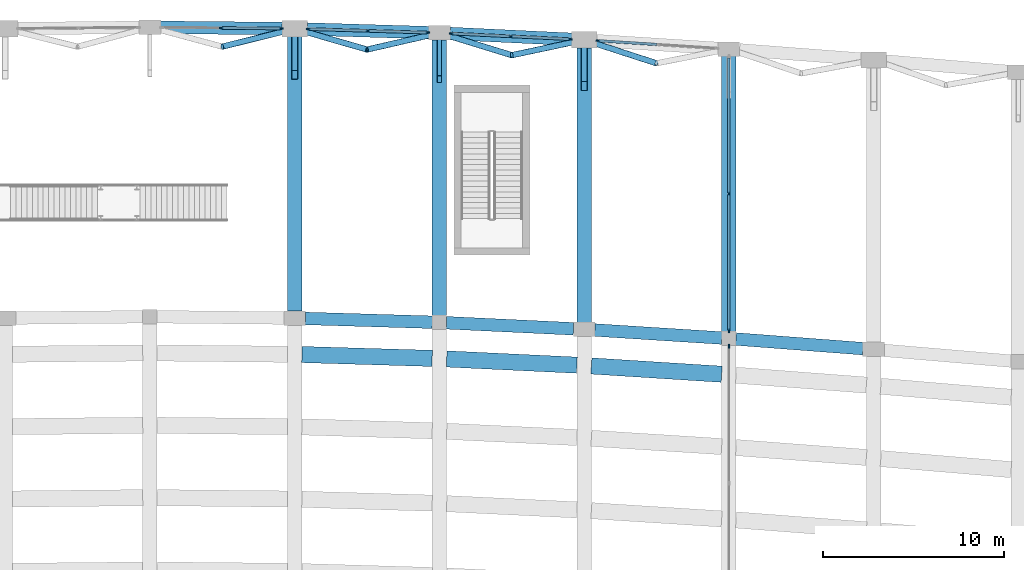
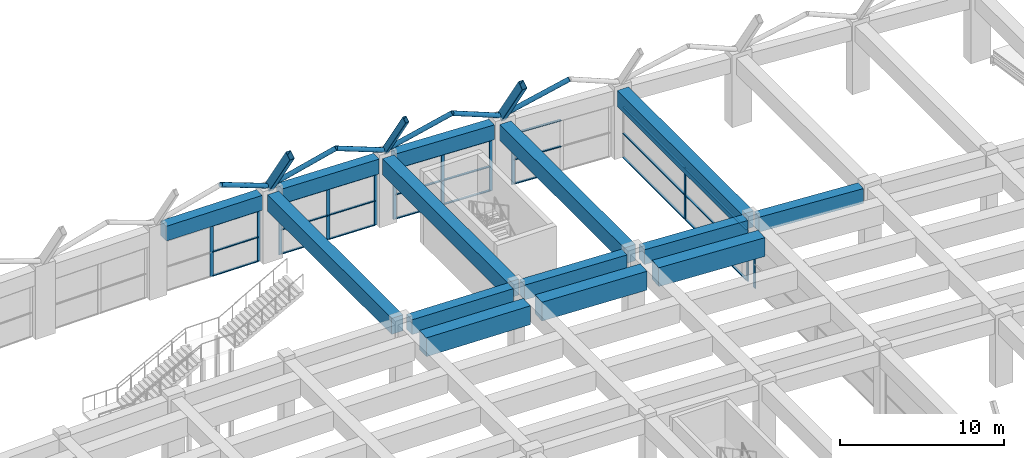
# One storey, part 31 of 69: 42 members, 17 beams, 6 elements without a shape of their own.
"""IFC4 building model written with IfcOpenShell, lengths in metres."""

from ifc_helpers import new_model, si_unit, direction, frame, origin, origin_2d, place, context, subcontext, project, spatial, rectangle, hollow_rectangle, hollow_circle, extrude, material, material_profile, profile_set, type_object, element, aggregate, save


model = new_model("IFC4")

# Units and contexts
model_context = context("Model", 3, precision=1e-05, world=origin(), true_north=direction((0.0, 1.0)))
body_context = subcontext(model_context, "Body", "Model", "MODEL_VIEW")
ifc_project = project(units=[si_unit("LENGTHUNIT", "METRE"), si_unit("AREAUNIT", "SQUARE_METRE"), si_unit("VOLUMEUNIT", "CUBIC_METRE"), si_unit("PLANEANGLEUNIT", "RADIAN"), si_unit("MASSUNIT", "GRAM", prefix="KILO")], contexts=[model_context])

# Site, building, storey
site_placement = place(None, origin())
site = spatial("IfcSite", under=ifc_project, at=site_placement, CompositionType="ELEMENT")
building_placement = place(site_placement, origin())
building = spatial("IfcBuilding", under=site, at=building_placement, Name="Kenh Van Central Station", CompositionType="ELEMENT")
storey_placement = place(building_placement, frame((0.0, 0.0, 5.39990234375)))
storey = spatial("IfcBuildingStorey", under=building, at=storey_placement, Name="L01", CompositionType="ELEMENT", Elevation=5.39990234375)

# Beams
ifc_material_1 = material(Name="Concrete C40/50", Category="concrete")
ifc_material_profile_1 = material_profile(ifc_material_1, rectangle(XDim=0.699951171875, YDim=1.10009765625, at=origin_2d()), Name="RC 700x1100")
ifc_profile_set_1 = profile_set([ifc_material_profile_1], Name="Concrete C40/50")
beam_type_1 = type_object("IfcBeamType", Name="BM-RC-700x1100", PredefinedType="BEAM", material=ifc_profile_set_1)
beam_1_placement = place(storey_placement, frame((96.58984375, 99.102294921875, 4.530029296875), z_axis=(0.999562359797, -0.029581901172, 0.0), x_axis=(0.029581901172, 0.999562359797, 0.0)))
element("IfcBeam", 1, at=beam_1_placement, inside=storey, type_object=beam_type_1, Name="L01 viaduct girder 1416", PredefinedType="BEAM", context=body_context, shape_type="SweptSolid", body=[
    extrude(rectangle(XDim=0.699951171875, YDim=1.10009765625, at=origin_2d()), origin(), (0.0, 0.0, 1.0), 7.0234375),
])
beam_2_placement = place(storey_placement, frame((104.3896484375, 98.864501953125, 4.530029296875), z_axis=(0.998867194536, -0.04758495224, 0.0), x_axis=(0.04758495224, 0.998867194536, 0.0)))
element("IfcBeam", 2, at=beam_2_placement, inside=storey, type_object=beam_type_1, Name="L01 viaduct girder 1417", PredefinedType="BEAM", context=body_context, shape_type="SweptSolid", body=[
    extrude(rectangle(XDim=0.699951171875, YDim=1.10009765625, at=origin_2d()), origin(), (0.0, 0.0, 1.0), 7.029052734375),
])
beam_3_placement = place(storey_placement, frame((112.5888671875, 98.464599609375, 4.530029296875), z_axis=(0.997999567519, -0.063220750018, 0.0), x_axis=(0.063220750018, 0.997999567519, 0.0)))
element("IfcBeam", 3, at=beam_3_placement, inside=storey, type_object=beam_type_1, Name="L01 viaduct girder 1418", PredefinedType="BEAM", context=body_context, shape_type="SweptSolid", body=[
    extrude(rectangle(XDim=0.699951171875, YDim=1.10009765625, at=origin_2d()), origin(), (0.0, 0.0, 1.0), 7.0361328125),
])
beam_4_placement = place(storey_placement, frame((120.388916015625, 97.9658203125, 4.530029296875), z_axis=(0.997135285012, -0.075638769056, 0.0), x_axis=(0.075638769056, 0.997135285012, 0.0)))
element("IfcBeam", 4, at=beam_4_placement, inside=storey, type_object=beam_type_1, Name="L01 viaduct girder 1419", PredefinedType="BEAM", context=body_context, shape_type="SweptSolid", body=[
    extrude(rectangle(XDim=0.699951171875, YDim=1.10009765625, at=origin_2d()), origin(), (0.0, 0.0, 1.0), 7.04296875),
])
beam_5_placement = place(storey_placement, frame((88.590087890625, 115.194091796875, 4.530029296875), z_axis=(0.99994973094, -0.010026743896, 0.0), x_axis=(0.010026743896, 0.99994973094, 0.0)))
element("IfcBeam", 5, at=beam_5_placement, inside=storey, type_object=beam_type_1, Name="L01 viaduct girder 1429", PredefinedType="BEAM", context=body_context, shape_type="SweptSolid", body=[
    extrude(rectangle(XDim=0.699951171875, YDim=1.10009765625, at=origin_2d()), origin(), (0.0, 0.0, 1.0), 6.72021484375),
])
beam_6_placement = place(storey_placement, frame((96.689697265625, 115.099365234375, 4.530029296875), z_axis=(0.999563065499, -0.029558046112, 0.0), x_axis=(0.029558046112, 0.999563065499, 0.0)))
element("IfcBeam", 6, at=beam_6_placement, inside=storey, type_object=beam_type_1, Name="L01 viaduct girder 1430", PredefinedType="BEAM", context=body_context, shape_type="SweptSolid", body=[
    extrude(rectangle(XDim=0.699951171875, YDim=1.10009765625, at=origin_2d()), origin(), (0.0, 0.0, 1.0), 6.723388671875),
])
beam_7_placement = place(storey_placement, frame((104.58935546875, 114.85498046875, 4.530029296875), z_axis=(0.998866413286, -0.047601348815, 0.0), x_axis=(0.047601348815, 0.998866413286, 0.0)))
element("IfcBeam", 7, at=beam_7_placement, inside=storey, type_object=beam_type_1, Name="L01 viaduct girder 1431", PredefinedType="BEAM", context=body_context, shape_type="SweptSolid", body=[
    extrude(rectangle(XDim=0.699951171875, YDim=1.10009765625, at=origin_2d()), origin(), (0.0, 0.0, 1.0), 6.72900390625),
])
ifc_material_profile_2 = material_profile(ifc_material_1, rectangle(XDim=0.800048828125, YDim=1.199951171875, at=origin_2d()), Name="RC 800x1200")
ifc_profile_set_2 = profile_set([ifc_material_profile_2], Name="Concrete C40/50")
beam_type_2 = type_object("IfcBeamType", Name="BM-TRK-800x1200", PredefinedType="BEAM", material=ifc_profile_set_2)
beam_8_placement = place(storey_placement, frame((96.0, 99.509765625, 4.47998046875), z_axis=(0.0, 1.0, 0.0), x_axis=(-1.0, 0.0, 0.0)))
element("IfcBeam", 8, at=beam_8_placement, inside=storey, type_object=beam_type_2, Name="L01 viaduct cross-girder 1456", PredefinedType="BEAM", context=body_context, shape_type="SweptSolid", body=[
    extrude(rectangle(XDim=0.800048828125, YDim=1.199951171875, at=origin_2d()), origin(), (0.0, 0.0, 1.0), 15.169921875),
])
beam_9_placement = place(storey_placement, frame((104.0, 99.273193359375, 4.47998046875), z_axis=(0.0, 1.0, 0.0), x_axis=(-1.0, 0.0, 0.0)))
element("IfcBeam", 9, at=beam_9_placement, inside=storey, type_object=beam_type_2, Name="L01 viaduct cross-girder 1459", PredefinedType="BEAM", context=body_context, shape_type="SweptSolid", body=[
    extrude(rectangle(XDim=0.800048828125, YDim=1.199951171875, at=origin_2d()), origin(), (0.0, 0.0, 1.0), 15.219970703125),
])
beam_10_placement = place(storey_placement, frame((112.0, 98.891845703125, 4.47998046875), z_axis=(0.0, 1.0, 0.0), x_axis=(-1.0, 0.0, 0.0)))
element("IfcBeam", 10, at=beam_10_placement, inside=storey, type_object=beam_type_2, Name="L01 viaduct cross-girder 1462", PredefinedType="BEAM", context=body_context, shape_type="SweptSolid", body=[
    extrude(rectangle(XDim=0.800048828125, YDim=1.199951171875, at=origin_2d()), origin(), (0.0, 0.0, 1.0), 15.170166015625),
])
beam_11_placement = place(storey_placement, frame((120.0, 98.38525390625, 4.47998046875), z_axis=(0.0, 1.0, 0.0), x_axis=(-1.0, 0.0, 0.0)))
element("IfcBeam", 11, at=beam_11_placement, inside=storey, type_object=beam_type_2, Name="L01 viaduct cross-girder 1465", PredefinedType="BEAM", context=body_context, shape_type="SweptSolid", body=[
    extrude(rectangle(XDim=0.800048828125, YDim=1.199951171875, at=origin_2d()), origin(), (0.0, 0.0, 1.0), 15.219970703125),
])
ifc_material_profile_3 = material_profile(ifc_material_1, rectangle(XDim=0.89990234375, YDim=1.39990234375, at=origin_2d()), Name="RC 900x1400")
ifc_profile_set_3 = profile_set([ifc_material_profile_3], Name="Concrete C40/50")
beam_type_3 = type_object("IfcBeamType", Name="BM-TRK-900x1400", PredefinedType="BEAM", material=ifc_profile_set_3)
beam_12_placement = place(storey_placement, frame((96.39990234375, 97.10791015625, 4.380126953125), z_axis=(0.999563172588, -0.029554424471, 0.0), x_axis=(0.029554424471, 0.999563172588, 0.0)))
element("IfcBeam", 12, at=beam_12_placement, inside=storey, type_object=beam_type_3, Name="Track 4 trough girder 1525", PredefinedType="BEAM", context=body_context, shape_type="SweptSolid", body=[
    extrude(rectangle(XDim=0.89990234375, YDim=1.39990234375, at=origin_2d()), origin(), (0.0, 0.0, 1.0), 7.203369140625),
])
beam_13_placement = place(storey_placement, frame((104.399658203125, 96.864013671875, 4.380126953125), z_axis=(0.998867294729, -0.047582849023, 0.0), x_axis=(0.047582849023, 0.998867294729, 0.0)))
element("IfcBeam", 13, at=beam_13_placement, inside=storey, type_object=beam_type_3, Name="Track 4 trough girder 1526", PredefinedType="BEAM", context=body_context, shape_type="SweptSolid", body=[
    extrude(rectangle(XDim=0.89990234375, YDim=1.39990234375, at=origin_2d()), origin(), (0.0, 0.0, 1.0), 7.208740234375),
])
beam_14_placement = place(storey_placement, frame((112.399169921875, 96.4765625, 4.380126953125), z_axis=(0.998000898768, -0.06319973147, 0.0), x_axis=(0.06319973147, 0.998000898768, 0.0)))
element("IfcBeam", 14, at=beam_14_placement, inside=storey, type_object=beam_type_3, Name="Track 4 trough girder 1527", PredefinedType="BEAM", context=body_context, shape_type="SweptSolid", body=[
    extrude(rectangle(XDim=0.89990234375, YDim=1.39990234375, at=origin_2d()), origin(), (0.0, 0.0, 1.0), 7.216064453125),
])
ifc_material_2 = material(Name="White fluoropolymer structural steel S355", Category="steel")
ifc_material_profile_4 = material_profile(ifc_material_2, hollow_rectangle(XDim=0.35009765625, YDim=0.60009765625, WallThickness=0.01611328125, InnerFilletRadius=0.01611328125, OuterFilletRadius=0.031982421875, at=origin_2d()), Name="RHS 600x350x16")
ifc_profile_set_4 = profile_set([ifc_material_profile_4], Name="White fluoropolymer structural steel S355")
beam_type_4 = type_object("IfcBeamType", Name="BM-VAULT-ARCH600", PredefinedType="BEAM", material=ifc_profile_set_4)
for number, where, z_axis, x_axis, name in (
    (15, (96.0, 112.5673828125, 9.161865234375), (0.0, 0.549413802018, -0.835550401922), (-1.0, 0.0, 0.0), "Vault transverse arch 105"),
    (16, (112.0, 111.949462890625, 9.161865234375), (0.0, 0.549413802018, -0.835550401922), (-1.0, 0.0, 0.0), "Vault transverse arch 129"),
):
    element("IfcBeam", number, at=place(storey_placement, frame(where, z_axis=z_axis, x_axis=x_axis)), inside=storey, type_object=beam_type_4, Name=name, PredefinedType="BEAM", context=body_context, shape_type="SweptSolid", body=[
        extrude(hollow_rectangle(XDim=0.35009765625, YDim=0.60009765625, WallThickness=0.01611328125, InnerFilletRadius=0.01611328125, OuterFilletRadius=0.031982421875, at=origin_2d()), origin(), (0.0, 0.0, 1.0), 4.645751953125),
    ])
ifc_material_profile_5 = material_profile(ifc_material_2, hollow_rectangle(XDim=0.25, YDim=0.449951171875, WallThickness=0.012451171875, InnerFilletRadius=0.012451171875, OuterFilletRadius=0.02490234375, at=origin_2d()), Name="RHS 450x250x12.5")
ifc_profile_set_5 = profile_set([ifc_material_profile_5], Name="White fluoropolymer structural steel S355")
beam_type_5 = type_object("IfcBeamType", Name="BM-VAULT-SUB450", PredefinedType="BEAM", material=ifc_profile_set_5)
beam_15_placement = place(storey_placement, frame((104.0, 112.330810546875, 9.161865234375), z_axis=(0.0, 0.5493771127, -0.835574525725), x_axis=(-1.0, 0.0, 0.0)))
element("IfcBeam", 17, at=beam_15_placement, inside=storey, type_object=beam_type_5, Name="Vault transverse arch 117", PredefinedType="BEAM", context=body_context, shape_type="SweptSolid", body=[
    extrude(hollow_rectangle(XDim=0.25, YDim=0.449951171875, WallThickness=0.012451171875, InnerFilletRadius=0.012451171875, OuterFilletRadius=0.02490234375, at=origin_2d()), origin(), (0.0, 0.0, 1.0), 4.645751953125),
])

# Curtain wall, member
ifc_material_3 = material(Name="Champagne anodised aluminium", Category="aluminium")
curtain_wall_type = type_object("IfcCurtainWallType", Name="CW-HALL-B", PredefinedType="NOTDEFINED", material=ifc_material_3)
curtain_wall_1_placement = place(storey_placement, origin())
curtain_wall_1 = element("IfcCurtainWall", 18, at=curtain_wall_1_placement, inside=storey, type_object=curtain_wall_type, Name="L01 curtain wall 101", PredefinedType="NOTDEFINED")
ifc_material_profile_6 = material_profile(ifc_material_3, rectangle(XDim=0.08203125, YDim=0.22509765625, at=origin_2d()), Name="AL 82x225")
ifc_profile_set_6 = profile_set([ifc_material_profile_6], Name="Champagne anodised aluminium")
member_type_1 = type_object("IfcMemberType", Name="CWM-70x180", PredefinedType="MULLION", material=ifc_profile_set_6)
member_1_placement = place(storey_placement, frame((120.0, 97.55419921875, 0.0), z_axis=(0.0, 0.0, 1.0), x_axis=(-1.0, 0.0, 0.0)))
member_1 = element("IfcMember", 19, at=member_1_placement, type_object=member_type_1, Name="CW-02 mullion 3", PredefinedType="MULLION", context=body_context, shape_type="SweptSolid", body=[
    extrude(rectangle(XDim=0.08203125, YDim=0.22509765625, at=origin_2d()), origin(), (0.0, 0.0, 1.0), 3.800048828125),
])
aggregate(curtain_wall_1, [member_1])

# Curtain wall, members
curtain_wall_2_placement = place(storey_placement, origin())
curtain_wall_2 = element("IfcCurtainWall", 20, at=curtain_wall_2_placement, inside=storey, type_object=curtain_wall_type, Name="L01 curtain wall 102", PredefinedType="NOTDEFINED")
member_2_placement = place(storey_placement, frame((120.0, 98.436279296875, 0.0), z_axis=(0.0, 0.0, 1.0), x_axis=(-1.0, 0.0, 0.0)))
member_2 = element("IfcMember", 21, at=member_2_placement, type_object=member_type_1, Name="CW-02 mullion 1", PredefinedType="MULLION", context=body_context, shape_type="SweptSolid", body=[
    extrude(rectangle(XDim=0.08203125, YDim=0.22509765625, at=origin_2d()), origin(), (0.0, 0.0, 1.0), 3.800048828125),
])
member_3_placement = place(storey_placement, frame((120.0, 105.9951171875, 0.0), z_axis=(0.0, 0.0, 1.0), x_axis=(-1.0, 0.0, 0.0)))
member_3 = element("IfcMember", 22, at=member_3_placement, type_object=member_type_1, Name="CW-02 mullion 2", PredefinedType="MULLION", context=body_context, shape_type="SweptSolid", body=[
    extrude(rectangle(XDim=0.08203125, YDim=0.22509765625, at=origin_2d()), origin(), (0.0, 0.0, 1.0), 3.800048828125),
])

curtain_wall_3_placement = place(storey_placement, origin())
curtain_wall_3 = element("IfcCurtainWall", 23, at=curtain_wall_3_placement, inside=storey, type_object=curtain_wall_type, Name="L01 curtain wall 090", PredefinedType="NOTDEFINED")
ifc_material_profile_7 = material_profile(ifc_material_3, rectangle(XDim=0.080078125, YDim=0.219970703125, at=origin_2d()), Name="AL 80x220")
ifc_profile_set_7 = profile_set([ifc_material_profile_7], Name="Champagne anodised aluminium")
member_type_2 = type_object("IfcMemberType", Name="CWM-80x220", PredefinedType="MULLION", material=ifc_profile_set_7)
member_4_placement = place(storey_placement, frame((95.255615234375, 115.127197265625, 0.0), z_axis=(0.0, 0.0, 1.0), x_axis=(-0.010011901592, -0.999949879657, 0.0)))
member_4 = element("IfcMember", 24, at=member_4_placement, type_object=member_type_2, Name="CW-02 mullion 1", PredefinedType="MULLION", context=body_context, shape_type="SweptSolid", body=[
    extrude(rectangle(XDim=0.080078125, YDim=0.219970703125, at=origin_2d()), origin(), (0.0, 0.0, 1.0), 3.800048828125),
])
member_5_placement = place(storey_placement, frame((91.94970703125, 115.160400390625, 0.0), z_axis=(0.0, 0.0, 1.0), x_axis=(-0.010011901592, -0.999949879657, 0.0)))
member_5 = element("IfcMember", 25, at=member_5_placement, type_object=member_type_2, Name="CW-02 mullion 2", PredefinedType="MULLION", context=body_context, shape_type="SweptSolid", body=[
    extrude(rectangle(XDim=0.080078125, YDim=0.219970703125, at=origin_2d()), origin(), (0.0, 0.0, 1.0), 3.800048828125),
])

curtain_wall_4_placement = place(storey_placement, origin())
curtain_wall_4 = element("IfcCurtainWall", 26, at=curtain_wall_4_placement, inside=storey, type_object=curtain_wall_type, Name="L01 curtain wall 092", PredefinedType="NOTDEFINED")
member_6_placement = place(storey_placement, frame((103.3486328125, 114.90234375, 0.0), z_axis=(0.0, 0.0, 1.0), x_axis=(-0.029570645876, -0.999562692832, 0.0)))
member_6 = element("IfcMember", 27, at=member_6_placement, type_object=member_type_2, Name="CW-02 mullion 1", PredefinedType="MULLION", context=body_context, shape_type="SweptSolid", body=[
    extrude(rectangle(XDim=0.080078125, YDim=0.219970703125, at=origin_2d()), origin(), (0.0, 0.0, 1.0), 3.800048828125),
])
member_7_placement = place(storey_placement, frame((100.05078125, 115.0, 0.0), z_axis=(0.0, 0.0, 1.0), x_axis=(-0.029570645876, -0.999562692832, 0.0)))
member_7 = element("IfcMember", 28, at=member_7_placement, type_object=member_type_2, Name="CW-02 mullion 2", PredefinedType="MULLION", context=body_context, shape_type="SweptSolid", body=[
    extrude(rectangle(XDim=0.080078125, YDim=0.219970703125, at=origin_2d()), origin(), (0.0, 0.0, 1.0), 3.800048828125),
])
member_8_placement = place(storey_placement, frame((96.752685546875, 115.097412109375, 0.0), z_axis=(0.0, 0.0, 1.0), x_axis=(-0.029570645876, -0.999562692832, 0.0)))
member_8 = element("IfcMember", 29, at=member_8_placement, type_object=member_type_2, Name="CW-02 mullion 3", PredefinedType="MULLION", context=body_context, shape_type="SweptSolid", body=[
    extrude(rectangle(XDim=0.080078125, YDim=0.219970703125, at=origin_2d()), origin(), (0.0, 0.0, 1.0), 3.800048828125),
])

curtain_wall_5_placement = place(storey_placement, origin())
curtain_wall_5 = element("IfcCurtainWall", 30, at=curtain_wall_5_placement, inside=storey, type_object=curtain_wall_type, Name="L01 curtain wall 094", PredefinedType="NOTDEFINED")
member_9_placement = place(storey_placement, frame((111.240234375, 114.5380859375, 0.0), z_axis=(0.0, 0.0, 1.0), x_axis=(-0.047600764745, -0.99886644112, 0.0)))
member_9 = element("IfcMember", 31, at=member_9_placement, type_object=member_type_2, Name="CW-02 mullion 1", PredefinedType="MULLION", context=body_context, shape_type="SweptSolid", body=[
    extrude(rectangle(XDim=0.080078125, YDim=0.219970703125, at=origin_2d()), origin(), (0.0, 0.0, 1.0), 3.800048828125),
])
member_10_placement = place(storey_placement, frame((107.948974609375, 114.695068359375, 0.0), z_axis=(0.0, 0.0, 1.0), x_axis=(-0.047600764745, -0.99886644112, 0.0)))
member_10 = element("IfcMember", 32, at=member_10_placement, type_object=member_type_2, Name="CW-02 mullion 2", PredefinedType="MULLION", context=body_context, shape_type="SweptSolid", body=[
    extrude(rectangle(XDim=0.080078125, YDim=0.219970703125, at=origin_2d()), origin(), (0.0, 0.0, 1.0), 3.800048828125),
])
member_11_placement = place(storey_placement, frame((104.65771484375, 114.851806640625, 0.0), z_axis=(0.0, 0.0, 1.0), x_axis=(-0.047600764745, -0.99886644112, 0.0)))
member_11 = element("IfcMember", 33, at=member_11_placement, type_object=member_type_2, Name="CW-02 mullion 3", PredefinedType="MULLION", context=body_context, shape_type="SweptSolid", body=[
    extrude(rectangle(XDim=0.080078125, YDim=0.219970703125, at=origin_2d()), origin(), (0.0, 0.0, 1.0), 3.800048828125),
])

# Curtain wall, member
curtain_wall_6_placement = place(storey_placement, origin())
curtain_wall_6 = element("IfcCurtainWall", 34, at=curtain_wall_6_placement, inside=storey, type_object=curtain_wall_type, Name="L01 curtain wall 096", PredefinedType="NOTDEFINED")
member_12_placement = place(storey_placement, frame((112.765625, 114.453369140625, 0.0), z_axis=(0.0, 0.0, 1.0), x_axis=(-0.063211477724, -0.998000154852, 0.0)))
member_12 = element("IfcMember", 35, at=member_12_placement, type_object=member_type_2, Name="CW-02 mullion 3", PredefinedType="MULLION", context=body_context, shape_type="SweptSolid", body=[
    extrude(rectangle(XDim=0.080078125, YDim=0.219970703125, at=origin_2d()), origin(), (0.0, 0.0, 1.0), 3.800048828125),
])

# Member
ifc_material_profile_8 = material_profile(ifc_material_3, rectangle(XDim=0.14990234375, YDim=0.070068359375, at=origin_2d()), Name="AL 150x70")
ifc_profile_set_8 = profile_set([ifc_material_profile_8], Name="Champagne anodised aluminium")
member_type_3 = type_object("IfcMemberType", Name="CWT-150x70", PredefinedType="USERDEFINED", material=ifc_profile_set_8)
member_13_placement = place(storey_placement, frame((95.215576171875, 115.127685546875, 0.03515625), z_axis=(-0.999950102075, 0.009989662717, 0.0), x_axis=(-0.009989662717, -0.999950102075, 0.0)))
member_13 = element("IfcMember", 36, at=member_13_placement, type_object=member_type_3, Name="CW-02 transom 1.1", ObjectType="TRANSOM", PredefinedType="USERDEFINED", context=body_context, shape_type="SweptSolid", body=[
    extrude(rectangle(XDim=0.14990234375, YDim=0.070068359375, at=origin_2d()), origin(), (0.0, 0.0, 1.0), 3.22607421875),
])

member_14_placement = place(storey_placement, frame((95.215576171875, 115.127685546875, 1.82421875), z_axis=(-0.999950102075, 0.009989662717, 0.0), x_axis=(-0.009989662717, -0.999950102075, 0.0)))
member_14 = element("IfcMember", 37, at=member_14_placement, type_object=member_type_3, Name="CW-02 transom 1.2", ObjectType="TRANSOM", PredefinedType="USERDEFINED", context=body_context, shape_type="SweptSolid", body=[
    extrude(rectangle(XDim=0.14990234375, YDim=0.070068359375, at=origin_2d()), origin(), (0.0, 0.0, 1.0), 3.22607421875),
])

member_15_placement = place(storey_placement, frame((95.215576171875, 115.127685546875, 3.76513671875), z_axis=(-0.999950102075, 0.009989662717, 0.0), x_axis=(-0.009989662717, -0.999950102075, 0.0)))
member_15 = element("IfcMember", 38, at=member_15_placement, type_object=member_type_3, Name="CW-02 transom 1.3", ObjectType="TRANSOM", PredefinedType="USERDEFINED", context=body_context, shape_type="SweptSolid", body=[
    extrude(rectangle(XDim=0.14990234375, YDim=0.070068359375, at=origin_2d()), origin(), (0.0, 0.0, 1.0), 3.22607421875),
])

aggregate(curtain_wall_3, [member_4, member_5, member_13, member_14, member_15])

member_16_placement = place(storey_placement, frame((103.308837890625, 114.903564453125, 0.03515625), z_axis=(-0.999562627364, 0.029572858798, 0.0), x_axis=(-0.029572858798, -0.999562627364, 0.0)))
member_16 = element("IfcMember", 39, at=member_16_placement, type_object=member_type_3, Name="CW-02 transom 1.1", ObjectType="TRANSOM", PredefinedType="USERDEFINED", context=body_context, shape_type="SweptSolid", body=[
    extrude(rectangle(XDim=0.14990234375, YDim=0.070068359375, at=origin_2d()), origin(), (0.0, 0.0, 1.0), 3.2197265625),
])

member_17_placement = place(storey_placement, frame((103.308837890625, 114.903564453125, 1.82421875), z_axis=(-0.999562627364, 0.029572858798, 0.0), x_axis=(-0.029572858798, -0.999562627364, 0.0)))
member_17 = element("IfcMember", 40, at=member_17_placement, type_object=member_type_3, Name="CW-02 transom 1.2", ObjectType="TRANSOM", PredefinedType="USERDEFINED", context=body_context, shape_type="SweptSolid", body=[
    extrude(rectangle(XDim=0.14990234375, YDim=0.070068359375, at=origin_2d()), origin(), (0.0, 0.0, 1.0), 3.2197265625),
])

member_18_placement = place(storey_placement, frame((103.308837890625, 114.903564453125, 3.76513671875), z_axis=(-0.999562627364, 0.029572858798, 0.0), x_axis=(-0.029572858798, -0.999562627364, 0.0)))
member_18 = element("IfcMember", 41, at=member_18_placement, type_object=member_type_3, Name="CW-02 transom 1.3", ObjectType="TRANSOM", PredefinedType="USERDEFINED", context=body_context, shape_type="SweptSolid", body=[
    extrude(rectangle(XDim=0.14990234375, YDim=0.070068359375, at=origin_2d()), origin(), (0.0, 0.0, 1.0), 3.2197265625),
])

member_19_placement = place(storey_placement, frame((100.0107421875, 115.001220703125, 0.03515625), z_axis=(-0.999562561041, 0.029575100433, 0.0), x_axis=(-0.029575100433, -0.999562561041, 0.0)))
member_19 = element("IfcMember", 42, at=member_19_placement, type_object=member_type_3, Name="CW-02 transom 2.1", ObjectType="TRANSOM", PredefinedType="USERDEFINED", context=body_context, shape_type="SweptSolid", body=[
    extrude(rectangle(XDim=0.14990234375, YDim=0.070068359375, at=origin_2d()), origin(), (0.0, 0.0, 1.0), 3.219482421875),
])

member_20_placement = place(storey_placement, frame((100.0107421875, 115.001220703125, 1.82421875), z_axis=(-0.999562561041, 0.029575100433, 0.0), x_axis=(-0.029575100433, -0.999562561041, 0.0)))
member_20 = element("IfcMember", 43, at=member_20_placement, type_object=member_type_3, Name="CW-02 transom 2.2", ObjectType="TRANSOM", PredefinedType="USERDEFINED", context=body_context, shape_type="SweptSolid", body=[
    extrude(rectangle(XDim=0.14990234375, YDim=0.070068359375, at=origin_2d()), origin(), (0.0, 0.0, 1.0), 3.219482421875),
])

member_21_placement = place(storey_placement, frame((100.0107421875, 115.001220703125, 3.76513671875), z_axis=(-0.999562561041, 0.029575100433, 0.0), x_axis=(-0.029575100433, -0.999562561041, 0.0)))
member_21 = element("IfcMember", 44, at=member_21_placement, type_object=member_type_3, Name="CW-02 transom 2.3", ObjectType="TRANSOM", PredefinedType="USERDEFINED", context=body_context, shape_type="SweptSolid", body=[
    extrude(rectangle(XDim=0.14990234375, YDim=0.070068359375, at=origin_2d()), origin(), (0.0, 0.0, 1.0), 3.219482421875),
])

aggregate(curtain_wall_4, [member_6, member_7, member_8, member_16, member_17, member_18, member_19, member_20, member_21])

member_22_placement = place(storey_placement, frame((111.2001953125, 114.5400390625, 0.03515625), z_axis=(-0.998865731043, 0.047615662842, 0.0), x_axis=(-0.047615662842, -0.998865731043, 0.0)))
member_22 = element("IfcMember", 45, at=member_22_placement, type_object=member_type_3, Name="CW-02 transom 1.1", ObjectType="TRANSOM", PredefinedType="USERDEFINED", context=body_context, shape_type="SweptSolid", body=[
    extrude(rectangle(XDim=0.14990234375, YDim=0.070068359375, at=origin_2d()), origin(), (0.0, 0.0, 1.0), 3.21484375),
])

member_23_placement = place(storey_placement, frame((111.2001953125, 114.5400390625, 1.82421875), z_axis=(-0.998865731043, 0.047615662842, 0.0), x_axis=(-0.047615662842, -0.998865731043, 0.0)))
member_23 = element("IfcMember", 46, at=member_23_placement, type_object=member_type_3, Name="CW-02 transom 1.2", ObjectType="TRANSOM", PredefinedType="USERDEFINED", context=body_context, shape_type="SweptSolid", body=[
    extrude(rectangle(XDim=0.14990234375, YDim=0.070068359375, at=origin_2d()), origin(), (0.0, 0.0, 1.0), 3.21484375),
])

member_24_placement = place(storey_placement, frame((111.2001953125, 114.5400390625, 3.76513671875), z_axis=(-0.998865731043, 0.047615662842, 0.0), x_axis=(-0.047615662842, -0.998865731043, 0.0)))
member_24 = element("IfcMember", 47, at=member_24_placement, type_object=member_type_3, Name="CW-02 transom 1.3", ObjectType="TRANSOM", PredefinedType="USERDEFINED", context=body_context, shape_type="SweptSolid", body=[
    extrude(rectangle(XDim=0.14990234375, YDim=0.070068359375, at=origin_2d()), origin(), (0.0, 0.0, 1.0), 3.21484375),
])

member_25_placement = place(storey_placement, frame((107.908935546875, 114.69677734375, 0.03515625), z_axis=(-0.998865903203, 0.047612051187, 0.0), x_axis=(-0.047612051187, -0.998865903203, 0.0)))
member_25 = element("IfcMember", 48, at=member_25_placement, type_object=member_type_3, Name="CW-02 transom 2.1", ObjectType="TRANSOM", PredefinedType="USERDEFINED", context=body_context, shape_type="SweptSolid", body=[
    extrude(rectangle(XDim=0.14990234375, YDim=0.070068359375, at=origin_2d()), origin(), (0.0, 0.0, 1.0), 3.215087890625),
])

member_26_placement = place(storey_placement, frame((107.908935546875, 114.69677734375, 1.82421875), z_axis=(-0.998865903203, 0.047612051187, 0.0), x_axis=(-0.047612051187, -0.998865903203, 0.0)))
member_26 = element("IfcMember", 49, at=member_26_placement, type_object=member_type_3, Name="CW-02 transom 2.2", ObjectType="TRANSOM", PredefinedType="USERDEFINED", context=body_context, shape_type="SweptSolid", body=[
    extrude(rectangle(XDim=0.14990234375, YDim=0.070068359375, at=origin_2d()), origin(), (0.0, 0.0, 1.0), 3.215087890625),
])

member_27_placement = place(storey_placement, frame((107.908935546875, 114.69677734375, 3.76513671875), z_axis=(-0.998865903203, 0.047612051187, 0.0), x_axis=(-0.047612051187, -0.998865903203, 0.0)))
member_27 = element("IfcMember", 50, at=member_27_placement, type_object=member_type_3, Name="CW-02 transom 2.3", ObjectType="TRANSOM", PredefinedType="USERDEFINED", context=body_context, shape_type="SweptSolid", body=[
    extrude(rectangle(XDim=0.14990234375, YDim=0.070068359375, at=origin_2d()), origin(), (0.0, 0.0, 1.0), 3.215087890625),
])

aggregate(curtain_wall_5, [member_9, member_10, member_11, member_22, member_23, member_24, member_25, member_26, member_27])

member_28_placement = place(storey_placement, frame((116.011474609375, 114.247802734375, 0.03515625), z_axis=(-0.997998987314, 0.063229908426, 0.0), x_axis=(-0.063229908426, -0.997998987314, 0.0)))
member_28 = element("IfcMember", 51, at=member_28_placement, type_object=member_type_3, Name="CW-02 transom 2.1", ObjectType="TRANSOM", PredefinedType="USERDEFINED", context=body_context, shape_type="SweptSolid", body=[
    extrude(rectangle(XDim=0.14990234375, YDim=0.070068359375, at=origin_2d()), origin(), (0.0, 0.0, 1.0), 3.21240234375),
])

member_29_placement = place(storey_placement, frame((116.011474609375, 114.247802734375, 1.82421875), z_axis=(-0.997998987314, 0.063229908426, 0.0), x_axis=(-0.063229908426, -0.997998987314, 0.0)))
member_29 = element("IfcMember", 52, at=member_29_placement, type_object=member_type_3, Name="CW-02 transom 2.2", ObjectType="TRANSOM", PredefinedType="USERDEFINED", context=body_context, shape_type="SweptSolid", body=[
    extrude(rectangle(XDim=0.14990234375, YDim=0.070068359375, at=origin_2d()), origin(), (0.0, 0.0, 1.0), 3.21240234375),
])

member_30_placement = place(storey_placement, frame((116.011474609375, 114.247802734375, 3.76513671875), z_axis=(-0.997998987314, 0.063229908426, 0.0), x_axis=(-0.063229908426, -0.997998987314, 0.0)))
member_30 = element("IfcMember", 53, at=member_30_placement, type_object=member_type_3, Name="CW-02 transom 2.3", ObjectType="TRANSOM", PredefinedType="USERDEFINED", context=body_context, shape_type="SweptSolid", body=[
    extrude(rectangle(XDim=0.14990234375, YDim=0.070068359375, at=origin_2d()), origin(), (0.0, 0.0, 1.0), 3.21240234375),
])

aggregate(curtain_wall_6, [member_12, member_28, member_29, member_30])

member_31_placement = place(storey_placement, frame((120.0, 98.477294921875, 0.03515625), z_axis=(0.0, 1.0, 0.0), x_axis=(-1.0, 0.0, 0.0)))
member_31 = element("IfcMember", 54, at=member_31_placement, type_object=member_type_3, Name="CW-02 transom 1.1", ObjectType="TRANSOM", PredefinedType="USERDEFINED", context=body_context, shape_type="SweptSolid", body=[
    extrude(rectangle(XDim=0.14990234375, YDim=0.070068359375, at=origin_2d()), origin(), (0.0, 0.0, 1.0), 7.476806640625),
])

member_32_placement = place(storey_placement, frame((120.0, 98.477294921875, 1.82421875), z_axis=(0.0, 1.0, 0.0), x_axis=(-1.0, 0.0, 0.0)))
member_32 = element("IfcMember", 55, at=member_32_placement, type_object=member_type_3, Name="CW-02 transom 1.2", ObjectType="TRANSOM", PredefinedType="USERDEFINED", context=body_context, shape_type="SweptSolid", body=[
    extrude(rectangle(XDim=0.14990234375, YDim=0.070068359375, at=origin_2d()), origin(), (0.0, 0.0, 1.0), 7.476806640625),
])

member_33_placement = place(storey_placement, frame((120.0, 98.477294921875, 3.76513671875), z_axis=(0.0, 1.0, 0.0), x_axis=(-1.0, 0.0, 0.0)))
member_33 = element("IfcMember", 56, at=member_33_placement, type_object=member_type_3, Name="CW-02 transom 1.3", ObjectType="TRANSOM", PredefinedType="USERDEFINED", context=body_context, shape_type="SweptSolid", body=[
    extrude(rectangle(XDim=0.14990234375, YDim=0.070068359375, at=origin_2d()), origin(), (0.0, 0.0, 1.0), 7.476806640625),
])

member_34_placement = place(storey_placement, frame((120.0, 106.0361328125, 0.03515625), z_axis=(0.0, 1.0, 0.0), x_axis=(-1.0, 0.0, 0.0)))
member_34 = element("IfcMember", 57, at=member_34_placement, type_object=member_type_3, Name="CW-02 transom 2.1", ObjectType="TRANSOM", PredefinedType="USERDEFINED", context=body_context, shape_type="SweptSolid", body=[
    extrude(rectangle(XDim=0.14990234375, YDim=0.070068359375, at=origin_2d()), origin(), (0.0, 0.0, 1.0), 7.47705078125),
])

member_35_placement = place(storey_placement, frame((120.0, 106.0361328125, 1.82421875), z_axis=(0.0, 1.0, 0.0), x_axis=(-1.0, 0.0, 0.0)))
member_35 = element("IfcMember", 58, at=member_35_placement, type_object=member_type_3, Name="CW-02 transom 2.2", ObjectType="TRANSOM", PredefinedType="USERDEFINED", context=body_context, shape_type="SweptSolid", body=[
    extrude(rectangle(XDim=0.14990234375, YDim=0.070068359375, at=origin_2d()), origin(), (0.0, 0.0, 1.0), 7.47705078125),
])

member_36_placement = place(storey_placement, frame((120.0, 106.0361328125, 3.76513671875), z_axis=(0.0, 1.0, 0.0), x_axis=(-1.0, 0.0, 0.0)))
member_36 = element("IfcMember", 59, at=member_36_placement, type_object=member_type_3, Name="CW-02 transom 2.3", ObjectType="TRANSOM", PredefinedType="USERDEFINED", context=body_context, shape_type="SweptSolid", body=[
    extrude(rectangle(XDim=0.14990234375, YDim=0.070068359375, at=origin_2d()), origin(), (0.0, 0.0, 1.0), 7.47705078125),
])

aggregate(curtain_wall_2, [member_2, member_3, member_31, member_32, member_33, member_34, member_35, member_36])

# Members
ifc_material_profile_9 = material_profile(ifc_material_2, hollow_circle(Radius=0.161865234375, WallThickness=0.010009765625, at=origin_2d()), Name="CHS 323.9x10")
ifc_profile_set_9 = profile_set([ifc_material_profile_9], Name="White fluoropolymer structural steel S355")
member_type_4 = type_object("IfcMemberType", Name="MEM-VAULT-CHD324", PredefinedType="CHORD", material=ifc_profile_set_9)
member_37_placement = place(storey_placement, frame((92.0, 114.124267578125, 7.4287109375), z_axis=(0.865614811271, 0.215452709983, -0.451985761134), x_axis=(-0.241532101992, 0.970392829584, 0.0)))
element("IfcMember", 60, at=member_37_placement, inside=storey, type_object=member_type_4, Name="Vault diamond grid member 0367", PredefinedType="CHORD", context=body_context, shape_type="SweptSolid", body=[
    extrude(hollow_circle(Radius=0.161865234375, WallThickness=0.010009765625, at=origin_2d()), origin(), (0.0, 0.0, 1.0), 4.62109375),
])
member_38_placement = place(storey_placement, frame((96.0, 115.119873046875, 5.340087890625), z_axis=(0.858748047053, -0.247969788245, 0.448400240633), x_axis=(0.277422986705, 0.960747878711, 0.0)))
element("IfcMember", 61, at=member_38_placement, inside=storey, type_object=member_type_4, Name="Vault diamond grid member 0392", PredefinedType="CHORD", context=body_context, shape_type="SweptSolid", body=[
    extrude(hollow_circle(Radius=0.161865234375, WallThickness=0.010009765625, at=origin_2d()), origin(), (0.0, 0.0, 1.0), 4.657958984375),
])
member_39_placement = place(storey_placement, frame((100.0, 113.96484375, 7.4287109375), z_axis=(0.868632612349, 0.199397415469, -0.453561523355), x_axis=(-0.223734099144, 0.974650220787, 0.0)))
element("IfcMember", 62, at=member_39_placement, inside=storey, type_object=member_type_4, Name="Vault diamond grid member 0415", PredefinedType="CHORD", context=body_context, shape_type="SweptSolid", body=[
    extrude(hollow_circle(Radius=0.161865234375, WallThickness=0.010009765625, at=origin_2d()), origin(), (0.0, 0.0, 1.0), 4.60498046875),
])
member_40_placement = place(storey_placement, frame((104.0, 114.883056640625, 5.340087890625), z_axis=(0.855279045424, -0.26278532194, 0.446588881446), x_axis=(0.293700443426, 0.955897509951, 0.0)))
element("IfcMember", 63, at=member_40_placement, inside=storey, type_object=member_type_4, Name="Vault diamond grid member 0440", PredefinedType="CHORD", context=body_context, shape_type="SweptSolid", body=[
    extrude(hollow_circle(Radius=0.161865234375, WallThickness=0.010009765625, at=origin_2d()), origin(), (0.0, 0.0, 1.0), 4.6767578125),
])
member_41_placement = place(storey_placement, frame((108.0, 113.654052734375, 7.4287109375), z_axis=(0.871187207481, 0.184669993383, -0.454895419922), x_axis=(-0.207367422574, 0.978263130275, 0.0)))
element("IfcMember", 64, at=member_41_placement, inside=storey, type_object=member_type_4, Name="Vault diamond grid member 0463", PredefinedType="CHORD", context=body_context, shape_type="SweptSolid", body=[
    extrude(hollow_circle(Radius=0.161865234375, WallThickness=0.010009765625, at=origin_2d()), origin(), (0.0, 0.0, 1.0), 4.591552734375),
])
member_42_placement = place(storey_placement, frame((112.0, 114.501953125, 5.340087890625), z_axis=(0.8520447107, -0.275832833591, 0.444900054934), x_axis=(0.307993438887, 0.951388480907, 0.0)))
element("IfcMember", 65, at=member_42_placement, inside=storey, type_object=member_type_4, Name="Vault diamond grid member 0488", PredefinedType="CHORD", context=body_context, shape_type="SweptSolid", body=[
    extrude(hollow_circle(Radius=0.161865234375, WallThickness=0.010009765625, at=origin_2d()), origin(), (0.0, 0.0, 1.0), 4.694580078125),
])

save(model, "model.ifc")
